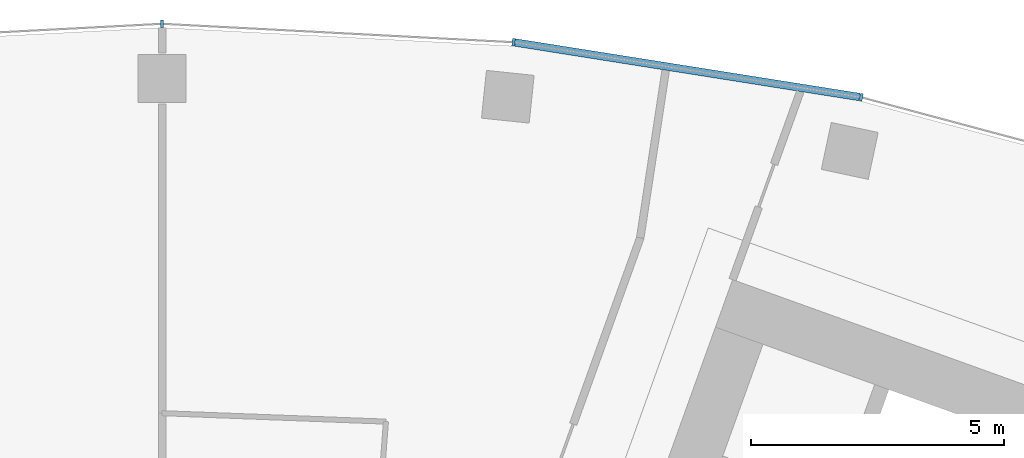
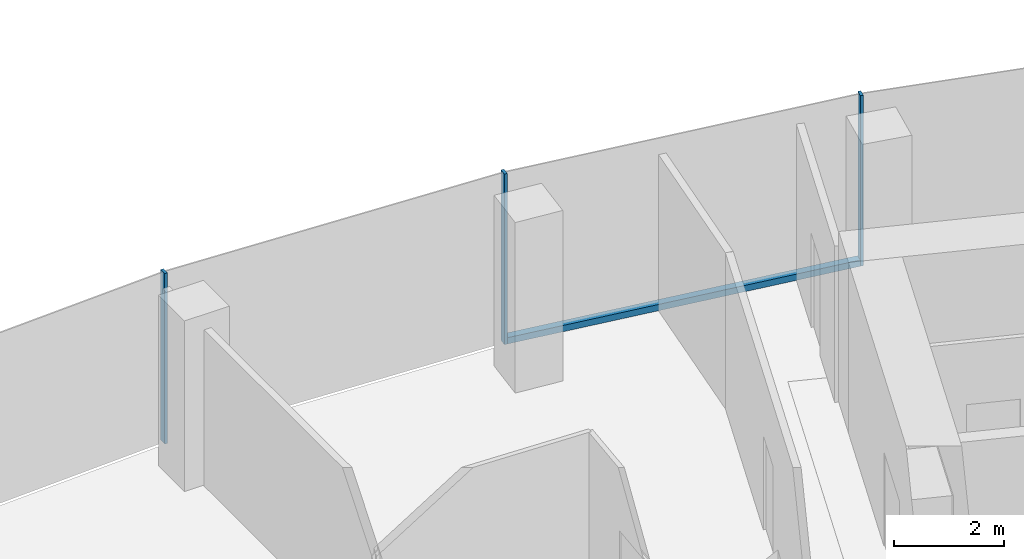
# One storey, part 6 of 20: 4 members, 1 element without a shape of its own.
"""IFC4 building model written with IfcOpenShell, lengths in metres."""

from ifc_helpers import new_model, si_unit, direction, frame, origin, origin_2d, place, context, subcontext, project, spatial, rectangle, extrude, material, layer, layer_set, material_profile, profile_set, type_object, element, aggregate, save


model = new_model("IFC4")

# Units and contexts
model_context = context("Model", 3, precision=1e-05, world=origin(), true_north=direction((0.0, 1.0)))
body_context = subcontext(model_context, "Body", "Model", "MODEL_VIEW")
ifc_project = project(units=[si_unit("LENGTHUNIT", "METRE"), si_unit("AREAUNIT", "SQUARE_METRE"), si_unit("VOLUMEUNIT", "CUBIC_METRE"), si_unit("PLANEANGLEUNIT", "RADIAN"), si_unit("MASSUNIT", "GRAM", prefix="KILO")], contexts=[model_context])

# Site, building, storey
site_placement = place(None, origin())
site = spatial("IfcSite", under=ifc_project, at=site_placement, CompositionType="ELEMENT")
building_placement = place(site_placement, origin())
building = spatial("IfcBuilding", under=site, at=building_placement, Name="Stone Belt Terrace Tower", CompositionType="ELEMENT")
storey_placement = place(building_placement, frame((0.0, 0.0, 216.199951171875)))
storey = spatial("IfcBuildingStorey", under=building, at=storey_placement, Name="L52", CompositionType="ELEMENT", Elevation=216.199951171875)

# Curtain wall, members
ifc_material = material(Name="Aluminium 6063-T6 anodised frame", Category="aluminium")
ifc_layer = layer(ifc_material, 0.14990234375)
ifc_layer_set = layer_set([ifc_layer], Name="CW-A unitised convex-face curtain wall")
curtain_wall_type = type_object("IfcCurtainWallType", Name="CW-A unitised convex-face curtain wall", PredefinedType="NOTDEFINED", material=ifc_layer_set)
curtain_wall_placement = place(storey_placement, origin())
curtain_wall = element("IfcCurtainWall", 1, at=curtain_wall_placement, inside=storey, type_object=curtain_wall_type, Name="CW-A convex face L52", PredefinedType="NOTDEFINED")
ifc_material_profile_1 = material_profile(ifc_material, rectangle(XDim=0.14990234375, YDim=0.06005859375, at=origin_2d()), Name="Aluminium 6063-T6 60x150")
ifc_profile_set_1 = profile_set([ifc_material_profile_1], Name="Aluminium 6063-T6 anodised frame")
member_type_1 = type_object("IfcMemberType", Name="CW-A mullion 60 x 150", PredefinedType="MULLION", material=ifc_profile_set_1)
member_1_placement = place(storey_placement, frame((13.841796875, 65.120361328125, 0.0), z_axis=(0.0, 0.0, 1.0), x_axis=(-0.207911690818, -0.978147600734, 0.0)))
member_1 = element("IfcMember", 2, at=member_1_placement, type_object=member_type_1, Name="CW-A mullion 7", PredefinedType="MULLION", context=body_context, shape_type="SweptSolid", body=[
    extrude(rectangle(XDim=0.14990234375, YDim=0.06005859375, at=origin_2d()), origin(), (0.0, 0.0, 1.0), 3.800048828125),
])
member_2_placement = place(storey_placement, frame((6.958984375, 66.21044921875, 0.0), z_axis=(0.0, 0.0, 1.0), x_axis=(-0.104528463268, -0.994521895368, 0.0)))
member_2 = element("IfcMember", 3, at=member_2_placement, type_object=member_type_1, Name="CW-A mullion 8", PredefinedType="MULLION", context=body_context, shape_type="SweptSolid", body=[
    extrude(rectangle(XDim=0.14990234375, YDim=0.06005859375, at=origin_2d()), origin(), (0.0, 0.0, 1.0), 3.800048828125),
])
member_3_placement = place(storey_placement, frame((0.0, 66.5751953125, 0.0), z_axis=(0.0, 0.0, 1.0), x_axis=(0.0, -1.0, 0.0)))
member_3 = element("IfcMember", 4, at=member_3_placement, type_object=member_type_1, Name="CW-A mullion 9", PredefinedType="MULLION", context=body_context, shape_type="SweptSolid", body=[
    extrude(rectangle(XDim=0.14990234375, YDim=0.06005859375, at=origin_2d()), origin(), (0.0, 0.0, 1.0), 3.800048828125),
])
ifc_material_profile_2 = material_profile(ifc_material, rectangle(XDim=0.14990234375, YDim=0.139892578125, at=origin_2d()), Name="Aluminium 6063-T6 150x140")
ifc_profile_set_2 = profile_set([ifc_material_profile_2], Name="Aluminium 6063-T6 anodised frame")
member_type_2 = type_object("IfcMemberType", Name="CW-A transom 140 x 150", PredefinedType="USERDEFINED", material=ifc_profile_set_2)
member_4_placement = place(storey_placement, frame((13.808349609375, 65.12548828125, 0.070068359375), z_axis=(-0.987687120531, 0.156442168027, 0.0), x_axis=(-0.156442168027, -0.987687120531, 0.0)))
member_4 = element("IfcMember", 5, at=member_4_placement, type_object=member_type_2, Name="CW-A transom 7.1", ObjectType="TRANSOM", PredefinedType="USERDEFINED", context=body_context, shape_type="SweptSolid", body=[
    extrude(rectangle(XDim=0.14990234375, YDim=0.139892578125, at=origin_2d()), origin(), (0.0, 0.0, 1.0), 6.90087890625),
])
aggregate(curtain_wall, [member_1, member_2, member_3, member_4])

save(model, "model.ifc")
